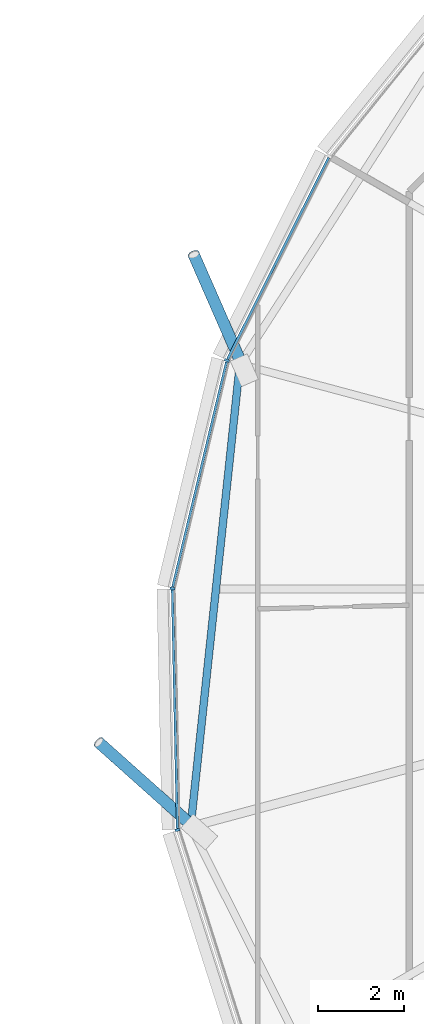
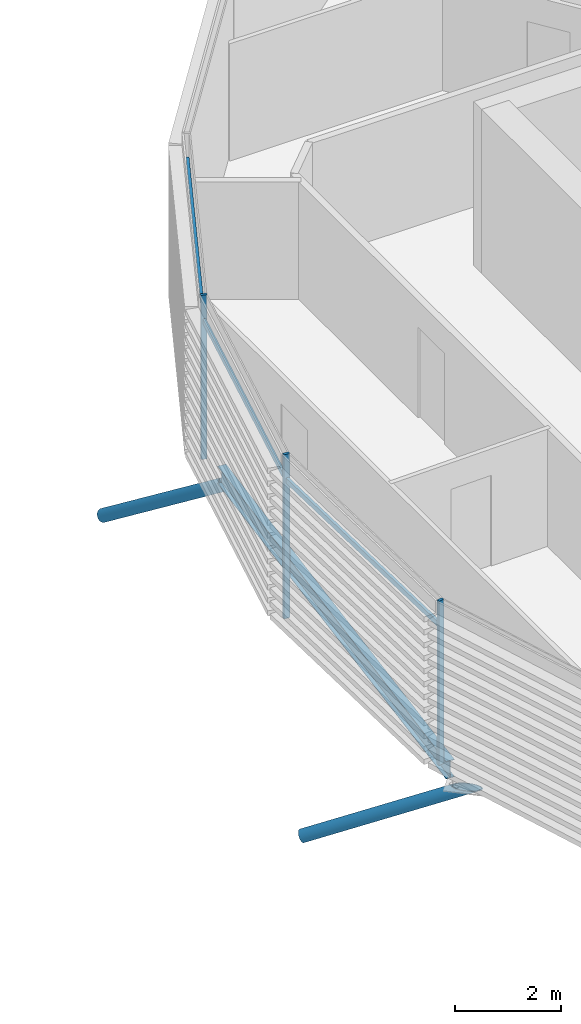
# One storey, part 9 of 37: 8 members, 1 beam, 1 element without a shape of its own.
"""IFC4 building model written with IfcOpenShell, lengths in metres."""

from ifc_helpers import new_model, si_unit, direction, frame, origin, origin_2d, place, context, subcontext, project, spatial, rectangle, hollow_circle, i_section, extrude, clip, halfspace, material, material_profile, profile_set, type_object, element, aggregate, save


model = new_model("IFC4")

# Units and contexts
model_context = context("Model", 3, precision=1e-05, world=origin(), true_north=direction((0.0, 1.0)))
body_context = subcontext(model_context, "Body", "Model", "MODEL_VIEW")
ifc_project = project(units=[si_unit("LENGTHUNIT", "METRE"), si_unit("AREAUNIT", "SQUARE_METRE"), si_unit("VOLUMEUNIT", "CUBIC_METRE"), si_unit("PLANEANGLEUNIT", "RADIAN"), si_unit("MASSUNIT", "GRAM", prefix="KILO")], contexts=[model_context])

# Site, building, storey
site_placement = place(None, origin())
site = spatial("IfcSite", under=ifc_project, at=site_placement, CompositionType="ELEMENT")
building_placement = place(site_placement, origin())
building = spatial("IfcBuilding", under=site, at=building_placement, Name="Rimbun Link Towers", CompositionType="ELEMENT")
storey_placement = place(building_placement, frame((0.0, 0.0, 166.5)))
storey = spatial("IfcBuildingStorey", under=building, at=storey_placement, Name="L40", CompositionType="ELEMENT", Elevation=166.5)

# Curtain wall, members
ifc_material_1 = material(Name="Aluminium 6063-T6 and low-iron glass", Category="aluminium")
curtain_wall_type = type_object("IfcCurtainWallType", Name="CW1-Z3 unitised vision wall (zone 3)", PredefinedType="NOTDEFINED", material=ifc_material_1)
curtain_wall_placement = place(storey_placement, origin())
curtain_wall = element("IfcCurtainWall", 1, at=curtain_wall_placement, inside=storey, type_object=curtain_wall_type, Name="CW1 L40 T2", PredefinedType="NOTDEFINED")
ifc_material_2 = material(Name="Aluminium 6063-T6", Category="aluminium")
ifc_material_profile_1 = material_profile(ifc_material_2, rectangle(XDim=0.1201171875, YDim=0.06005859375, at=origin_2d()), Name="MULLION 60X120")
ifc_profile_set_1 = profile_set([ifc_material_profile_1], Name="Aluminium 6063-T6")
member_type_1 = type_object("IfcMemberType", Name="CW1 mullion 60X120", PredefinedType="MULLION", material=ifc_profile_set_1)
member_1_placement = place(storey_placement, frame((11.834228515625, 5.341796875, 0.0), z_axis=(0.0, 0.0, 1.0), x_axis=(-0.939347818638, 0.342965997761, 0.0)))
member_1 = element("IfcMember", 2, at=member_1_placement, type_object=member_type_1, Name="CW1 mullion", PredefinedType="MULLION", context=body_context, shape_type="SweptSolid", body=[
    extrude(rectangle(XDim=0.1201171875, YDim=0.06005859375, at=origin_2d()), origin(), (0.0, 0.0, 1.0), 3.800048828125),
])
member_2_placement = place(storey_placement, frame((10.55810546875, 0.00634765625, 0.0), z_axis=(0.0, 0.0, 1.0), x_axis=(-0.994296940648, 0.106647052549, 0.0)))
member_2 = element("IfcMember", 3, at=member_2_placement, type_object=member_type_1, Name="CW1 mullion", PredefinedType="MULLION", context=body_context, shape_type="SweptSolid", body=[
    extrude(rectangle(XDim=0.1201171875, YDim=0.06005859375, at=origin_2d()), origin(), (0.0, 0.0, 1.0), 3.800048828125),
])
member_3_placement = place(storey_placement, frame((10.67724609375, -5.640380859375, 0.0), z_axis=(0.0, 0.0, 1.0), x_axis=(-0.986501554123, -0.163751896819, 0.0)))
member_3 = element("IfcMember", 4, at=member_3_placement, type_object=member_type_1, Name="CW1 mullion", PredefinedType="MULLION", context=body_context, shape_type="SweptSolid", body=[
    extrude(rectangle(XDim=0.1201171875, YDim=0.06005859375, at=origin_2d()), origin(), (0.0, 0.0, 1.0), 3.800048828125),
])
ifc_material_3 = material(Name="Aluminium 6063-T6", Category="aluminium")
ifc_material_profile_2 = material_profile(ifc_material_3, rectangle(XDim=0.06005859375, YDim=0.1201171875, at=origin_2d()), Name="TRANSOM 60X120")
ifc_profile_set_2 = profile_set([ifc_material_profile_2], Name="Aluminium 6063-T6")
member_type_2 = type_object("IfcMemberType", Name="CW1 transom 60X120", PredefinedType="USERDEFINED", material=ifc_profile_set_2)
member_4_placement = place(storey_placement, frame((11.85205078125, 5.3740234375, 3.199951171875), z_axis=(0.448769343871, 0.893647624067, 0.0), x_axis=(-0.893647624067, 0.448769343871, 0.0)))
member_4 = element("IfcMember", 5, at=member_4_placement, type_object=member_type_2, Name="CW1 transom", ObjectType="TRANSOM", PredefinedType="USERDEFINED", context=body_context, shape_type="SweptSolid", body=[
    extrude(rectangle(XDim=0.06005859375, YDim=0.1201171875, at=origin_2d()), origin(), (0.0, 0.0, 1.0), 5.2705078125),
])
member_5_placement = place(storey_placement, frame((10.568359375, 0.042724609375, 3.199951171875), z_axis=(0.232618671938, 0.972568019969, 0.0), x_axis=(-0.972568019969, 0.232618671938, 0.0)))
member_5 = element("IfcMember", 6, at=member_5_placement, type_object=member_type_2, Name="CW1 transom", ObjectType="TRANSOM", PredefinedType="USERDEFINED", context=body_context, shape_type="SweptSolid", body=[
    extrude(rectangle(XDim=0.06005859375, YDim=0.1201171875, at=origin_2d()), origin(), (0.0, 0.0, 1.0), 5.411376953125),
])
member_6_placement = place(storey_placement, frame((10.677734375, -5.601806640625, 3.199951171875), z_axis=(-0.021032292698, 0.999778796867, 0.0), x_axis=(-0.999778796867, -0.021032292698, 0.0)))
member_6 = element("IfcMember", 7, at=member_6_placement, type_object=member_type_2, Name="CW1 transom", ObjectType="TRANSOM", PredefinedType="USERDEFINED", context=body_context, shape_type="SweptSolid", body=[
    extrude(rectangle(XDim=0.06005859375, YDim=0.1201171875, at=origin_2d()), origin(), (0.0, 0.0, 1.0), 5.57177734375),
])
aggregate(curtain_wall, [member_1, member_2, member_3, member_4, member_5, member_6])

# Members
ifc_material_4 = material(Name="Steel S355J2H", Category="steel")
ifc_material_profile_3 = material_profile(ifc_material_4, hollow_circle(Radius=0.136474609375, WallThickness=0.012451171875, at=origin_2d()), Name="CHS 273x12.5")
ifc_profile_set_3 = profile_set([ifc_material_profile_3], Name="Steel S355J2H")
member_type_3 = type_object("IfcMemberType", Name="Floor edge link CHS 273x12.5", PredefinedType="BRACE", material=ifc_profile_set_3)
member_7_placement = place(storey_placement, frame((12.185302734375, 5.2421875, -0.669921875), z_axis=(-0.3334243976, 0.761763654988, -0.555467645345), x_axis=(-0.916089845005, -0.400973061288, 0.0)))
element("IfcMember", 8, at=member_7_placement, inside=storey, type_object=member_type_3, Name="Floor edge link T2 L40 08", PredefinedType="BRACE", context=body_context, shape_type="Clipping", body=[
    clip(extrude(hollow_circle(Radius=0.136474609375, WallThickness=0.012451171875, at=origin_2d()), frame((0.0, 0.0, -0.4267578125)), (0.0, 0.0, 1.0), 3.822021484375), halfspace(frame((0.0, 0.0, -0.20068359375), z_axis=(0.0, 0.831538150042, -0.555467645345)), False)),
])
member_8_placement = place(storey_placement, frame((11.033203125, -5.551025390625, -0.805419921875), z_axis=(-0.668274266872, 0.596602129119, -0.44438204708), x_axis=(-0.665971467677, -0.74597721429, 0.0)))
element("IfcMember", 9, at=member_8_placement, inside=storey, type_object=member_type_3, Name="Floor edge link T2 L40 10", PredefinedType="BRACE", context=body_context, shape_type="Clipping", body=[
    clip(extrude(hollow_circle(Radius=0.136474609375, WallThickness=0.012451171875, at=origin_2d()), frame((0.0, 0.0, -0.572998046875)), (0.0, 0.0, 1.0), 3.87353515625), halfspace(frame((0.0, 0.0, -0.270751953125), z_axis=(0.0, 0.895837371532, -0.44438204708)), False)),
])

# Beam
ifc_material_5 = material(Name="Steel S355J2", Category="steel")
ifc_material_profile_4 = material_profile(ifc_material_5, i_section(OverallWidth=0.177978515625, OverallDepth=0.406494140625, WebThickness=0.0078125, FlangeThickness=0.0126953125, at=origin_2d()), Name="UB 406x178x60")
ifc_profile_set_4 = profile_set([ifc_material_profile_4], Name="Steel S355J2")
beam_type = type_object("IfcBeamType", Name="UB 406x178x60", PredefinedType="BEAM", material=ifc_profile_set_4)
beam_placement = place(storey_placement, frame((12.12744140625, 5.164794921875, -0.353271484375), z_axis=(-0.10587746354, -0.994379184574, 0.0), x_axis=(0.994379184574, -0.10587746354, 0.0)))
element("IfcBeam", 10, at=beam_placement, inside=storey, type_object=beam_type, Name="Edge beam T2 L40 08-10", PredefinedType="BEAM", context=body_context, shape_type="SweptSolid", body=[
    extrude(i_section(OverallWidth=0.177978515625, OverallDepth=0.406494140625, WebThickness=0.0078125, FlangeThickness=0.0126953125, at=origin_2d()), origin(), (0.0, 0.0, 1.0), 10.67626953125),
])

save(model, "model.ifc")
